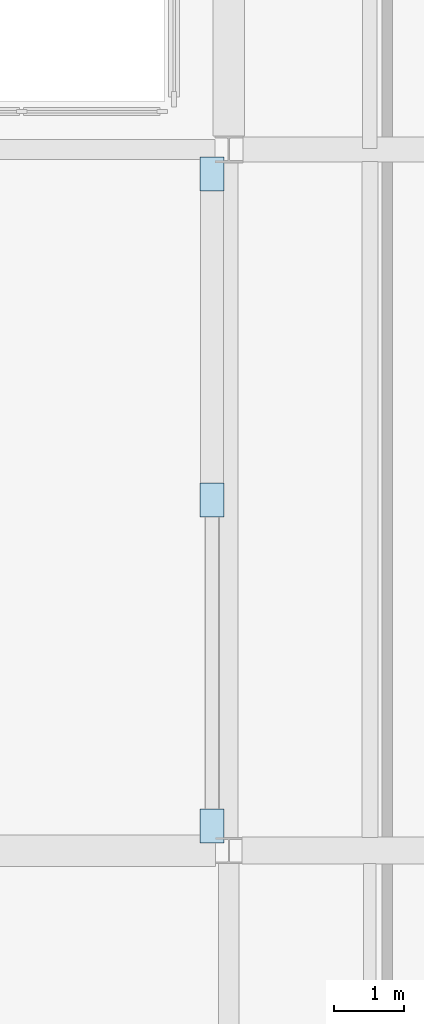
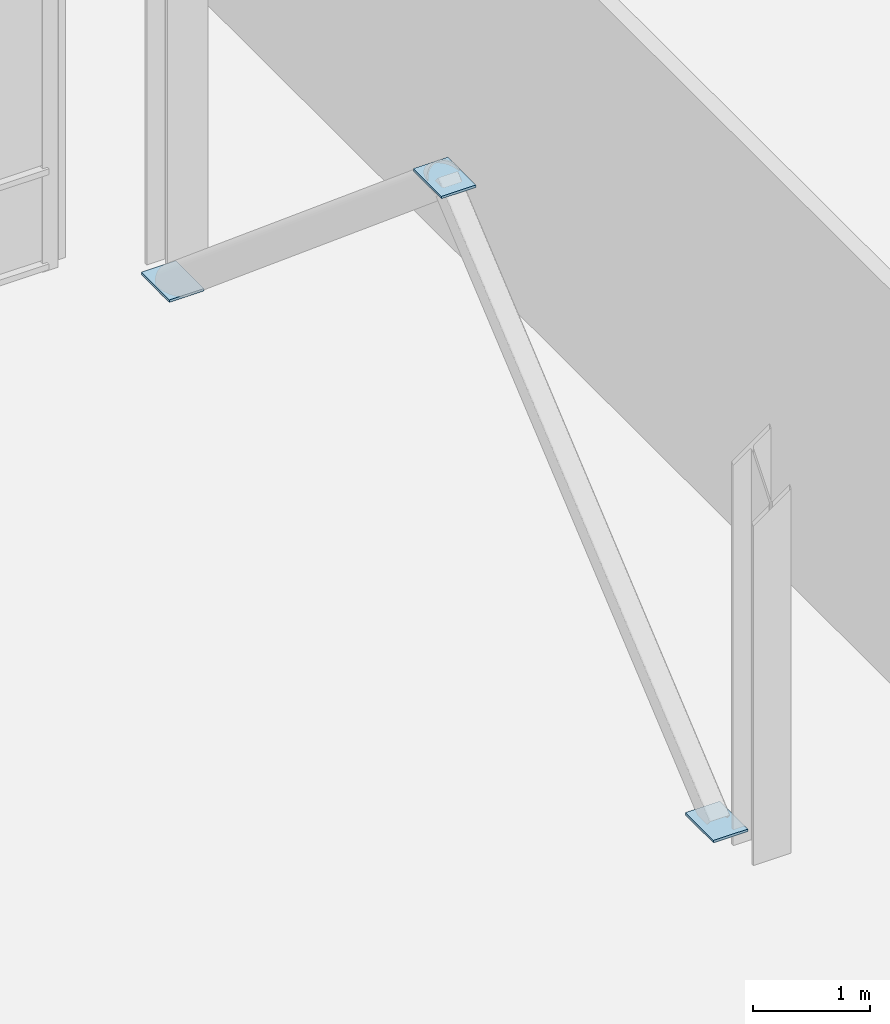
# One storey, part 57 of 81: 3 plates.
"""IFC4 building model written with IfcOpenShell, lengths in metres."""

from ifc_helpers import new_model, si_unit, direction, frame, origin, origin_2d, place, context, subcontext, project, spatial, rectangle, extrude, material, layer, layer_set, type_object, element, save


model = new_model("IFC4")

# Units and contexts
model_context = context("Model", 3, precision=1e-05, world=origin(), true_north=direction((0.0, 1.0)))
body_context = subcontext(model_context, "Body", "Model", "MODEL_VIEW")
ifc_project = project(units=[si_unit("LENGTHUNIT", "METRE"), si_unit("AREAUNIT", "SQUARE_METRE"), si_unit("VOLUMEUNIT", "CUBIC_METRE"), si_unit("PLANEANGLEUNIT", "RADIAN"), si_unit("MASSUNIT", "GRAM", prefix="KILO")], contexts=[model_context])

# Site, building, storey
site_placement = place(None, origin())
site = spatial("IfcSite", under=ifc_project, at=site_placement, CompositionType="ELEMENT")
building_placement = place(site_placement, origin())
building = spatial("IfcBuilding", under=site, at=building_placement, Name="Trimount Lyric Opera House", CompositionType="ELEMENT")
storey_placement = place(building_placement, frame((0.0, 0.0, 5.0)))
storey = spatial("IfcBuildingStorey", under=building, at=storey_placement, Name="L01", CompositionType="ELEMENT", Elevation=5.0)

# Plates
ifc_material = material(Name="Steel ASTM A572 Grade 50", Category="steel")
ifc_layer = layer(ifc_material, 0.02490234375)
ifc_layer_set = layer_set([ifc_layer], Name="KN-02")
plate_type = type_object("IfcPlateType", Name="KN-02", PredefinedType="USERDEFINED", material=ifc_layer_set)
for number, where, z_axis, x_axis, name in (
    (1, (148.0, 64.35009765625, 0.137451171875), (0.0, 0.0, 1.0), (0.0, 1.0, 0.0), "L01 brace BRC-BF-4-L01-L1 end gusset plate A"),
    (2, (148.0, 69.0, 4.03759765625), (0.0, 0.0, 1.0), (0.0, 1.0, 0.0), "L01 brace BRC-BF-4-L01-L1 end gusset plate B"),
    (3, (148.0, 73.64990234375, 0.137451171875), (0.0, 0.0, 1.0), (0.0, -1.0, 0.0), "L01 brace BRC-BF-4-L01-L2 end gusset plate A"),
):
    element("IfcPlate", number, at=place(storey_placement, frame(where, z_axis=z_axis, x_axis=x_axis)), inside=storey, type_object=plate_type, Name=name, ObjectType="GUSSET_PLATE", PredefinedType="USERDEFINED", context=body_context, shape_type="SweptSolid", body=[
        extrude(rectangle(XDim=0.47998046875, YDim=0.340087890625, at=origin_2d()), origin(), (0.0, 0.0, 1.0), 0.02490234375),
    ])

save(model, "model.ifc")
